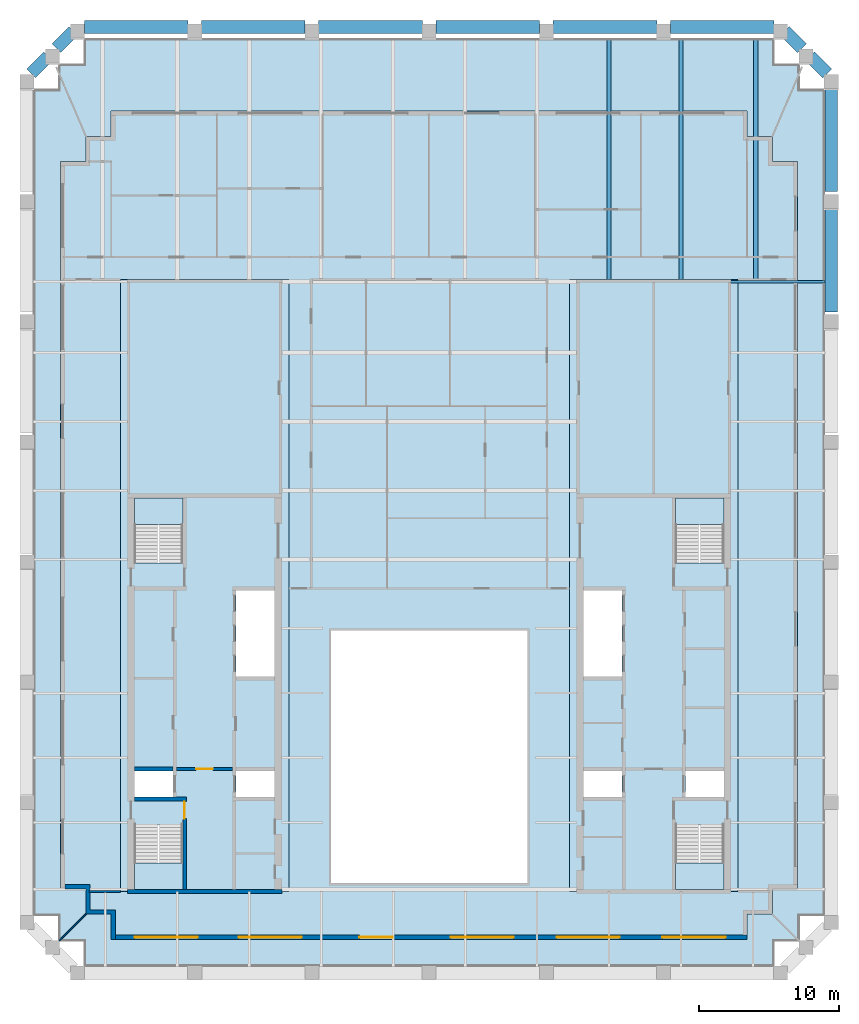
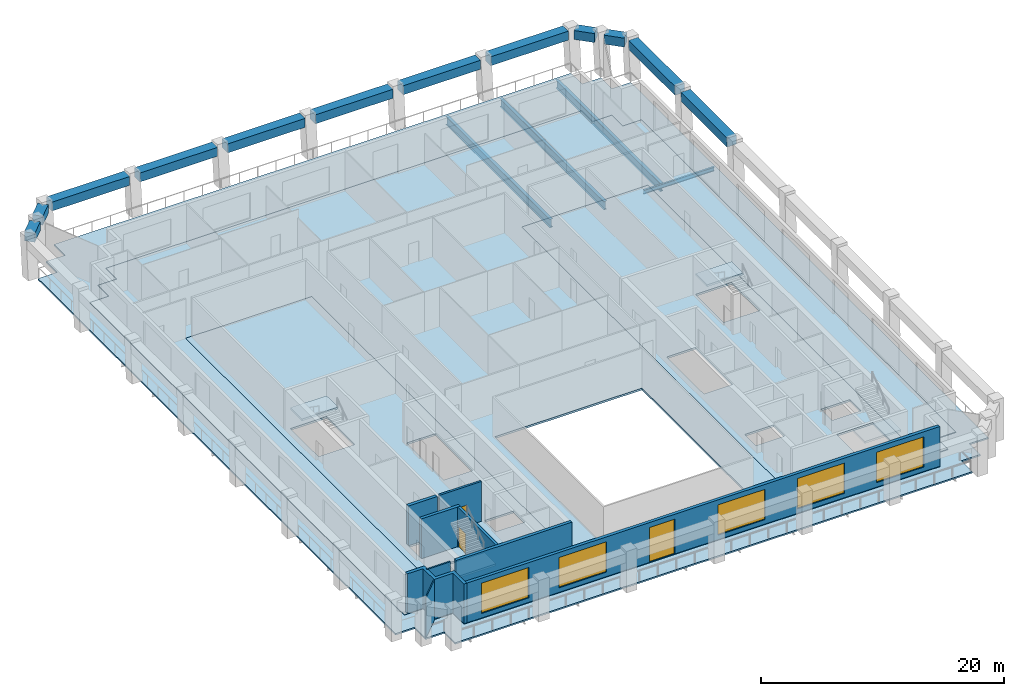
# One storey, part 2 of 8: 16 beams, 9 walls, 8 slabs, 5 windows, 3 doors, 8 openings, 4 elements without a shape of their own.
"""IFC4 building model written with IfcOpenShell, lengths in metres."""

from ifc_helpers import new_model, si_unit, direction, frame, frame_2d, origin, origin_2d, place, context, subcontext, project, spatial, polyline, rectangle, i_section, outline, extrude, material, layer, layer_set, material_profile, profile_set, type_object, element, fill, aggregate, save


model = new_model("IFC4")

# Units and contexts
model_context = context("Model", 3, precision=1e-05, world=origin(), true_north=direction((0.0, 1.0)))
body_context = subcontext(model_context, "Body", "Model", "MODEL_VIEW")
ifc_project = project(units=[si_unit("LENGTHUNIT", "METRE"), si_unit("AREAUNIT", "SQUARE_METRE"), si_unit("VOLUMEUNIT", "CUBIC_METRE"), si_unit("PLANEANGLEUNIT", "RADIAN"), si_unit("MASSUNIT", "GRAM", prefix="KILO")], contexts=[model_context])

# Site, building, storey
site_placement = place(None, origin())
site = spatial("IfcSite", under=ifc_project, at=site_placement, CompositionType="ELEMENT")
building_placement = place(site_placement, origin())
building = spatial("IfcBuilding", under=site, at=building_placement, Name="Ogive Exchange Tower", CompositionType="ELEMENT")
storey_placement = place(building_placement, frame((0.0, 0.0, 338.39990234375)))
storey = spatial("IfcBuildingStorey", under=building, at=storey_placement, Name="L74", CompositionType="ELEMENT", Elevation=338.39990234375)

# Beams
ifc_material_1 = material(Name="Steel ASTM A992 Gr50", Category="steel")
ifc_material_profile_1 = material_profile(ifc_material_1, i_section(OverallWidth=0.2919921875, OverallDepth=0.8359375, WebThickness=0.013916015625, FlangeThickness=0.018798828125, at=origin_2d()), Name="W840x176")
ifc_profile_set_1 = profile_set([ifc_material_profile_1], Name="Steel ASTM A992 Gr50")
beam_type_1 = type_object("IfcBeamType", Name="Floor beam W840x176", PredefinedType="JOIST", material=ifc_profile_set_1)
for number, where, z_axis, x_axis, name in (
    (1, (12.818115234375, 41.0, -0.617919921875), (0.0, 1.0, 0.0), (-1.0, 0.0, 0.0), "Floor beam"),
    (2, (17.945556640625, 41.0, -0.617919921875), (0.0, 1.0, 0.0), (-1.0, 0.0, 0.0), "Floor beam"),
):
    element("IfcBeam", number, at=place(storey_placement, frame(where, z_axis=z_axis, x_axis=x_axis)), inside=storey, type_object=beam_type_1, Name=name, PredefinedType="JOIST", context=body_context, shape_type="SweptSolid", body=[
        extrude(i_section(OverallWidth=0.2919921875, OverallDepth=0.8359375, WebThickness=0.013916015625, FlangeThickness=0.018798828125, at=origin_2d()), origin(), (0.0, 0.0, 1.0), 17.168212890625),
    ])
beam_1_placement = place(storey_placement, frame((23.272705078125, 40.93408203125, -0.617919921875), z_axis=(0.0, 1.0, 0.0), x_axis=(-1.0, 0.0, 0.0)))
element("IfcBeam", 3, at=beam_1_placement, inside=storey, type_object=beam_type_1, Name="Floor beam", PredefinedType="JOIST", context=body_context, shape_type="SweptSolid", body=[
    extrude(i_section(OverallWidth=0.2919921875, OverallDepth=0.8359375, WebThickness=0.013916015625, FlangeThickness=0.018798828125, at=origin_2d()), origin(), (0.0, 0.0, 1.0), 17.234130859375),
])
ifc_material_profile_2 = material_profile(ifc_material_1, i_section(OverallWidth=0.177978515625, OverallDepth=0.406005859375, WebThickness=0.0078125, FlangeThickness=0.0126953125, at=origin_2d()), Name="W410x60")
ifc_profile_set_2 = profile_set([ifc_material_profile_2], Name="Steel ASTM A992 Gr50")
beam_type_2 = type_object("IfcBeamType", Name="Girder W410x60", PredefinedType="BEAM", material=ifc_profile_set_2)
beam_2_placement = place(storey_placement, frame((21.47998046875, 40.844970703125, -0.40283203125), z_axis=(1.0, 0.0, 0.0), x_axis=(0.0, 1.0, 0.0)))
element("IfcBeam", 4, at=beam_2_placement, inside=storey, type_object=beam_type_2, Name="Header girder", PredefinedType="BEAM", context=body_context, shape_type="SweptSolid", body=[
    extrude(i_section(OverallWidth=0.177978515625, OverallDepth=0.406005859375, WebThickness=0.0078125, FlangeThickness=0.0126953125, at=origin_2d()), origin(), (0.0, 0.0, 1.0), 6.719970703125),
])
ifc_material_2 = material(Name="Precast concrete C70/85 (limestone faced)", Category="masonry")
ifc_material_profile_3 = material_profile(ifc_material_2, rectangle(XDim=0.89990234375, YDim=0.89990234375, at=origin_2d()), Name="900 x 900")
ifc_profile_set_3 = profile_set([ifc_material_profile_3], Name="Precast concrete C70/85 (limestone faced)")
beam_type_3 = type_object("IfcBeamType", Name="Precast spandrel 900 x 900 C70/85", PredefinedType="SPANDREL", material=ifc_profile_set_3)
beam_3_placement = place(storey_placement, frame((28.64990234375, 38.679931640625, 3.5), z_axis=(0.0, 1.0, 0.0), x_axis=(-1.0, 0.0, 0.0)))
element("IfcBeam", 5, at=beam_3_placement, inside=storey, type_object=beam_type_3, Name="Spandrel 14", PredefinedType="SPANDREL", context=body_context, shape_type="SweptSolid", body=[
    extrude(rectangle(XDim=0.89990234375, YDim=0.89990234375, at=origin_2d()), origin(), (0.0, 0.0, 1.0), 7.64013671875),
])
beam_4_placement = place(storey_placement, frame((28.64990234375, 47.280029296875, 3.5), z_axis=(0.0, 1.0, 0.0), x_axis=(-1.0, 0.0, 0.0)))
element("IfcBeam", 6, at=beam_4_placement, inside=storey, type_object=beam_type_3, Name="Spandrel 15", PredefinedType="SPANDREL", context=body_context, shape_type="SweptSolid", body=[
    extrude(rectangle(XDim=0.89990234375, YDim=0.89990234375, at=origin_2d()), origin(), (0.0, 0.0, 1.0), 7.639892578125),
])
beam_5_placement = place(storey_placement, frame((28.362060546875, 55.68798828125, 3.5), z_axis=(-0.707106781187, 0.707106781187, 0.0), x_axis=(-0.707106781187, -0.707106781187, 0.0)))
element("IfcBeam", 7, at=beam_5_placement, inside=storey, type_object=beam_type_3, Name="Spandrel 16", PredefinedType="SPANDREL", context=body_context, shape_type="SweptSolid", body=[
    extrude(rectangle(XDim=0.89990234375, YDim=0.89990234375, at=origin_2d()), origin(), (0.0, 0.0, 1.0), 1.731201171875),
])
beam_6_placement = place(storey_placement, frame((26.56201171875, 57.48779296875, 3.5), z_axis=(-0.707036271462, 0.707177283881, 0.0), x_axis=(-0.707177283881, -0.707036271462, 0.0)))
element("IfcBeam", 8, at=beam_6_placement, inside=storey, type_object=beam_type_3, Name="Spandrel 17", PredefinedType="SPANDREL", context=body_context, shape_type="SweptSolid", body=[
    extrude(rectangle(XDim=0.89990234375, YDim=0.89990234375, at=origin_2d()), origin(), (0.0, 0.0, 1.0), 1.7314453125),
])
beam_7_placement = place(storey_placement, frame((24.570068359375, 59.0, 3.5), z_axis=(-1.0, 0.0, 0.0), x_axis=(0.0, -1.0, 0.0)))
element("IfcBeam", 9, at=beam_7_placement, inside=storey, type_object=beam_type_3, Name="Spandrel 18", PredefinedType="SPANDREL", context=body_context, shape_type="SweptSolid", body=[
    extrude(rectangle(XDim=0.89990234375, YDim=0.89990234375, at=origin_2d()), origin(), (0.0, 0.0, 1.0), 7.39013671875),
])
beam_8_placement = place(storey_placement, frame((16.219970703125, 59.0, 3.5), z_axis=(-1.0, 0.0, 0.0), x_axis=(0.0, -1.0, 0.0)))
element("IfcBeam", 10, at=beam_8_placement, inside=storey, type_object=beam_type_3, Name="Spandrel 19", PredefinedType="SPANDREL", context=body_context, shape_type="SweptSolid", body=[
    extrude(rectangle(XDim=0.89990234375, YDim=0.89990234375, at=origin_2d()), origin(), (0.0, 0.0, 1.0), 7.389892578125),
])
for number, where, z_axis, x_axis, name in (
    (11, (7.8701171875, 59.0, 3.5), (-1.0, 0.0, 0.0), (0.0, -1.0, 0.0), "Spandrel 20"),
    (12, (-0.47998046875, 59.0, 3.5), (-1.0, 0.0, 0.0), (0.0, -1.0, 0.0), "Spandrel 21"),
):
    element("IfcBeam", number, at=place(storey_placement, frame(where, z_axis=z_axis, x_axis=x_axis)), inside=storey, type_object=beam_type_3, Name=name, PredefinedType="SPANDREL", context=body_context, shape_type="SweptSolid", body=[
        extrude(rectangle(XDim=0.89990234375, YDim=0.89990234375, at=origin_2d()), origin(), (0.0, 0.0, 1.0), 7.39013671875),
    ])
beam_9_placement = place(storey_placement, frame((-8.830078125, 59.0, 3.5), z_axis=(-1.0, 0.0, 0.0), x_axis=(0.0, -1.0, 0.0)))
element("IfcBeam", 13, at=beam_9_placement, inside=storey, type_object=beam_type_3, Name="Spandrel 22", PredefinedType="SPANDREL", context=body_context, shape_type="SweptSolid", body=[
    extrude(rectangle(XDim=0.89990234375, YDim=0.89990234375, at=origin_2d()), origin(), (0.0, 0.0, 1.0), 7.389892578125),
])
beam_10_placement = place(storey_placement, frame((-17.179931640625, 59.0, 3.5), z_axis=(-1.0, 0.0, 0.0), x_axis=(0.0, -1.0, 0.0)))
element("IfcBeam", 14, at=beam_10_placement, inside=storey, type_object=beam_type_3, Name="Spandrel 23", PredefinedType="SPANDREL", context=body_context, shape_type="SweptSolid", body=[
    extrude(rectangle(XDim=0.89990234375, YDim=0.89990234375, at=origin_2d()), origin(), (0.0, 0.0, 1.0), 7.39013671875),
])
beam_11_placement = place(storey_placement, frame((-25.337890625, 58.712158203125, 3.5), z_axis=(-0.707036271462, -0.707177283881, 0.0), x_axis=(0.707177283881, -0.707036271462, 0.0)))
element("IfcBeam", 15, at=beam_11_placement, inside=storey, type_object=beam_type_3, Name="Spandrel 24", PredefinedType="SPANDREL", context=body_context, shape_type="SweptSolid", body=[
    extrude(rectangle(XDim=0.89990234375, YDim=0.89990234375, at=origin_2d()), origin(), (0.0, 0.0, 1.0), 1.7314453125),
])
beam_12_placement = place(storey_placement, frame((-27.137939453125, 56.912109375, 3.5), z_axis=(-0.707106781187, -0.707106781187, 0.0), x_axis=(0.707106781187, -0.707106781187, 0.0)))
element("IfcBeam", 16, at=beam_12_placement, inside=storey, type_object=beam_type_3, Name="Spandrel 25", PredefinedType="SPANDREL", context=body_context, shape_type="SweptSolid", body=[
    extrude(rectangle(XDim=0.89990234375, YDim=0.89990234375, at=origin_2d()), origin(), (0.0, 0.0, 1.0), 1.731201171875),
])

# Slabs
ifc_material_3 = material(Name="Concrete C50/60", Category="concrete")
ifc_layer_1 = layer(ifc_material_3, 0.199951171875)
ifc_layer_set_1 = layer_set([ifc_layer_1], Name="Composite floor slab 200")
slab_type_1 = type_object("IfcSlabType", Name="Composite floor slab 200", PredefinedType="FLOOR", material=ifc_layer_set_1)
slab_1_placement = place(storey_placement, frame((0.0, 0.0, -0.199951171875)))
element("IfcSlab", 17, at=slab_1_placement, inside=storey, type_object=slab_type_1, Name="Composite floor slab", PredefinedType="FLOOR", context=body_context, shape_type="SweptSolid", body=[
    extrude(outline(polyline([(-22.64990234375, -4.199951171875), (-24.449951171875, -4.199951171875), (-24.449951171875, -2.39990234375), (-26.25, -2.39990234375), (-26.25, 49.39990234375), (-24.449951171875, 49.39990234375), (-24.449951171875, 51.199951171875), (-22.64990234375, 51.199951171875), (-22.64990234375, 53.0), (22.64990234375, 53.0), (22.64990234375, 51.199951171875), (24.449951171875, 51.199951171875), (24.449951171875, 49.39990234375), (26.25, 49.39990234375), (26.25, -2.39990234375), (24.449951171875, -2.39990234375), (24.449951171875, -4.199951171875), (22.64990234375, -4.199951171875), (22.64990234375, -6.0), (-22.64990234375, -6.0), (-22.64990234375, -4.199951171875)]), holes=[polyline([(7.0, -2.0), (7.0, 16.0), (-7.0, 16.0), (-7.0, -2.0), (7.0, -2.0)]), polyline([(-22.0, -2.60009765625), (-10.0, -2.60009765625), (-10.0, 41.0), (-22.0, 41.0), (-22.0, -2.60009765625)]), polyline([(10.0, -2.60009765625), (22.0, -2.60009765625), (22.0, 41.0), (10.0, 41.0), (10.0, -2.60009765625)])]), origin(), (0.0, 0.0, 1.0), 0.199951171875),
])
ifc_material_4 = material(Name="Concrete C70/85", Category="concrete")
ifc_layer_2 = layer(ifc_material_4, 0.199951171875)
ifc_layer_set_2 = layer_set([ifc_layer_2], Name="Core floor slab 200")
slab_type_2 = type_object("IfcSlabType", Name="Core floor slab 200", PredefinedType="FLOOR", material=ifc_layer_set_2)
slab_2_placement = place(storey_placement, frame((0.0, 0.0, -0.199951171875)))
element("IfcSlab", 18, at=slab_2_placement, inside=storey, type_object=slab_type_2, Name="Core floor slab", PredefinedType="FLOOR", context=body_context, shape_type="SweptSolid", body=[
    extrude(outline(polyline([(-22.0, -2.60009765625), (-22.0, 41.0), (-10.0, 41.0), (-10.0, -2.60009765625), (-22.0, -2.60009765625)]), holes=[polyline([(-17.550048828125, 2.196044921875), (-21.0, 2.196044921875), (-21.0, -2.449951171875), (-17.550048828125, -2.449951171875), (-17.550048828125, 2.196044921875)]), polyline([(-21.0, 5.992919921875), (-21.0, 4.14990234375), (-18.25, 4.14990234375), (-18.25, 5.992919921875), (-21.0, 5.992919921875)]), polyline([(-13.75, 5.992919921875), (-13.75, 4.14990234375), (-11.0, 4.14990234375), (-11.0, 5.992919921875), (-13.75, 5.992919921875)]), polyline([(-11.0, 18.85009765625), (-13.75, 18.85009765625), (-13.75, 12.721435546875), (-11.0, 12.721435546875), (-11.0, 18.85009765625)]), polyline([(-21.0, 25.449951171875), (-21.0, 20.803955078125), (-17.550048828125, 20.803955078125), (-17.550048828125, 25.449951171875), (-21.0, 25.449951171875)])]), origin(), (0.0, 0.0, 1.0), 0.199951171875),
])
slab_3_placement = place(storey_placement, frame((0.0, 0.0, -0.199951171875)))
element("IfcSlab", 19, at=slab_3_placement, inside=storey, type_object=slab_type_2, Name="Core floor slab", PredefinedType="FLOOR", context=body_context, shape_type="SweptSolid", body=[
    extrude(outline(polyline([(10.0, -2.60009765625), (10.0, 41.0), (22.0, 41.0), (22.0, -2.60009765625), (10.0, -2.60009765625)]), holes=[polyline([(21.0, 2.196044921875), (17.550048828125, 2.196044921875), (17.550048828125, -2.449951171875), (21.0, -2.449951171875), (21.0, 2.196044921875)]), polyline([(11.0, 5.992919921875), (11.0, 4.14990234375), (13.75, 4.14990234375), (13.75, 5.992919921875), (11.0, 5.992919921875)]), polyline([(18.25, 5.992919921875), (18.25, 4.14990234375), (21.0, 4.14990234375), (21.0, 5.992919921875), (18.25, 5.992919921875)]), polyline([(13.75, 18.85009765625), (11.0, 18.85009765625), (11.0, 12.721435546875), (13.75, 12.721435546875), (13.75, 18.85009765625)]), polyline([(17.550048828125, 25.449951171875), (17.550048828125, 20.803955078125), (21.0, 20.803955078125), (21.0, 25.449951171875), (17.550048828125, 25.449951171875)])]), origin(), (0.0, 0.0, 1.0), 0.199951171875),
])
ifc_layer_3 = layer(ifc_material_3, 0.14990234375)
ifc_layer_set_3 = layer_set([ifc_layer_3], Name="Loggia deck 150")
slab_type_3 = type_object("IfcSlabType", Name="Loggia deck 150", PredefinedType="FLOOR", material=ifc_layer_set_3)
slab_4_placement = place(storey_placement, frame((0.0, 0.0, -0.199951171875)))
element("IfcSlab", 20, at=slab_4_placement, inside=storey, type_object=slab_type_3, Name="Loggia deck", PredefinedType="FLOOR", context=body_context, shape_type="SweptSolid", body=[
    extrude(outline(polyline([(-24.60009765625, -6.14990234375), (-26.39990234375, -6.14990234375), (-26.39990234375, -4.35009765625), (-28.199951171875, -4.35009765625), (-28.199951171875, 54.568115234375), (-26.39990234375, 54.568115234375), (-26.39990234375, 56.3681640625), (-24.60009765625, 56.3681640625), (-24.60009765625, 58.168212890625), (24.60009765625, 58.168212890625), (24.60009765625, 56.3681640625), (26.39990234375, 56.3681640625), (26.39990234375, 54.568115234375), (28.199951171875, 54.568115234375), (28.199951171875, -4.35009765625), (26.39990234375, -4.35009765625), (26.39990234375, -6.14990234375), (24.60009765625, -6.14990234375), (24.60009765625, -7.949951171875), (-24.60009765625, -7.949951171875), (-24.60009765625, -6.14990234375)]), holes=[polyline([(22.64990234375, -4.199951171875), (24.449951171875, -4.199951171875), (24.449951171875, -2.39990234375), (26.25, -2.39990234375), (26.25, 49.39990234375), (24.449951171875, 49.39990234375), (24.449951171875, 51.199951171875), (22.64990234375, 51.199951171875), (22.64990234375, 53.0), (-22.64990234375, 53.0), (-22.64990234375, 51.199951171875), (-24.449951171875, 51.199951171875), (-24.449951171875, 49.39990234375), (-26.25, 49.39990234375), (-26.25, -2.39990234375), (-24.449951171875, -2.39990234375), (-24.449951171875, -4.199951171875), (-22.64990234375, -4.199951171875), (-22.64990234375, -6.0), (22.64990234375, -6.0), (22.64990234375, -4.199951171875)])]), origin(), (0.0, 0.0, 1.0), 0.150146484375),
])

# Stair, slab
ifc_material_5 = material(Name="Concrete C40/50", Category="concrete")
stair_type = type_object("IfcStairType", Name="Exit stair 1650 wide", PredefinedType="HALF_TURN_STAIR", material=ifc_material_5)
stair_1_placement = place(storey_placement, origin())
stair_1 = element("IfcStair", 21, at=stair_1_placement, inside=storey, type_object=stair_type, Name="L74 exit stair ST1", PredefinedType="HALF_TURN_STAIR")
ifc_layer_4 = layer(ifc_material_5, 0.199951171875)
ifc_layer_set_4 = layer_set([ifc_layer_4], Name="Stair landing 200 slab")
slab_type_4 = type_object("IfcSlabType", Name="Stair landing 200 slab", PredefinedType="LANDING", material=ifc_layer_set_4)
slab_5_placement = place(storey_placement, frame((0.0, 0.0, 1.900146484375)))
slab_5 = element("IfcSlab", 22, at=slab_5_placement, type_object=slab_type_4, Name="ST1 landing 1", PredefinedType="LANDING", context=body_context, shape_type="SweptSolid", body=[
    extrude(outline(polyline([(-21.0, -0.550048828125), (-21.0, -2.449951171875), (-17.550048828125, -2.449951171875), (-17.550048828125, -0.550048828125), (-21.0, -0.550048828125)])), origin(), (0.0, 0.0, 1.0), 0.199951171875),
])
aggregate(stair_1, [slab_5])

stair_2_placement = place(storey_placement, origin())
stair_2 = element("IfcStair", 23, at=stair_2_placement, inside=storey, type_object=stair_type, Name="L74 exit stair ST2", PredefinedType="HALF_TURN_STAIR")
slab_6_placement = place(storey_placement, frame((0.0, 0.0, 1.900146484375)))
slab_6 = element("IfcSlab", 24, at=slab_6_placement, type_object=slab_type_4, Name="ST2 landing 1", PredefinedType="LANDING", context=body_context, shape_type="SweptSolid", body=[
    extrude(outline(polyline([(-17.550048828125, 23.550048828125), (-17.550048828125, 25.449951171875), (-21.0, 25.449951171875), (-21.0, 23.550048828125), (-17.550048828125, 23.550048828125)])), origin(), (0.0, 0.0, 1.0), 0.199951171875),
])
aggregate(stair_2, [slab_6])

stair_3_placement = place(storey_placement, origin())
stair_3 = element("IfcStair", 25, at=stair_3_placement, inside=storey, type_object=stair_type, Name="L74 exit stair ST3", PredefinedType="HALF_TURN_STAIR")
slab_7_placement = place(storey_placement, frame((0.0, 0.0, 1.900146484375)))
slab_7 = element("IfcSlab", 26, at=slab_7_placement, type_object=slab_type_4, Name="ST3 landing 1", PredefinedType="LANDING", context=body_context, shape_type="SweptSolid", body=[
    extrude(outline(polyline([(17.550048828125, -0.550048828125), (17.550048828125, -2.449951171875), (21.0, -2.449951171875), (21.0, -0.550048828125), (17.550048828125, -0.550048828125)])), origin(), (0.0, 0.0, 1.0), 0.199951171875),
])
aggregate(stair_3, [slab_7])

stair_4_placement = place(storey_placement, origin())
stair_4 = element("IfcStair", 27, at=stair_4_placement, inside=storey, type_object=stair_type, Name="L74 exit stair ST4", PredefinedType="HALF_TURN_STAIR")
slab_8_placement = place(storey_placement, frame((0.0, 0.0, 1.900146484375)))
slab_8 = element("IfcSlab", 28, at=slab_8_placement, type_object=slab_type_4, Name="ST4 landing 1", PredefinedType="LANDING", context=body_context, shape_type="SweptSolid", body=[
    extrude(outline(polyline([(21.0, 23.550048828125), (21.0, 25.449951171875), (17.550048828125, 25.449951171875), (17.550048828125, 23.550048828125), (21.0, 23.550048828125)])), origin(), (0.0, 0.0, 1.0), 0.199951171875),
])
aggregate(stair_4, [slab_8])

# Wall
ifc_material_6 = material(Name="Fire partition EI 60 150")
ifc_layer_5 = layer(ifc_material_6, 0.14990234375)
ifc_layer_set_5 = layer_set([ifc_layer_5], Name="Fire partition EI 60 150")
wall_type_1 = type_object("IfcWallType", Name="Fire partition EI 60 150", PredefinedType="PARTITIONING", material=ifc_layer_set_5)
wall_1_placement = place(storey_placement, frame((-24.25, -2.60009765625, 0.0), z_axis=(0.0, 0.0, 1.0), x_axis=(1.0, 0.0, 0.0)))
element("IfcWall", 29, at=wall_1_placement, inside=storey, type_object=wall_type_1, Name="L74-PWL-002", PredefinedType="PARTITIONING", context=body_context, shape_type="SweptSolid", body=[
    extrude(rectangle(XDim=2.25, YDim=0.14990234375, at=frame_2d((1.125, 0.0))), origin(), (0.0, 0.0, 1.0), 4.0),
])

# Wall, openings, door, windows
ifc_material_7 = material(Name="Precast concrete C40/50", Category="concrete")
ifc_layer_6 = layer(ifc_material_7, 0.300048828125)
ifc_layer_set_6 = layer_set([ifc_layer_6], Name="Limestone-faced wall 300")
wall_type_2 = type_object("IfcWallType", Name="Limestone-faced wall 300", PredefinedType="STANDARD", material=ifc_layer_set_6)
wall_2_placement = place(storey_placement, frame((-22.35009765625, -5.85009765625, 0.0), z_axis=(0.0, 0.0, 1.0), x_axis=(1.0, 0.0, 0.0)))
wall_2 = element("IfcWall", 30, at=wall_2_placement, inside=storey, type_object=wall_type_2, Name="External wall S1", PredefinedType="STANDARD", context=body_context, shape_type="SweptSolid", body=[
    extrude(rectangle(XDim=45.0, YDim=0.300048828125, at=frame_2d((22.5, 0.0))), origin(), (0.0, 0.0, 1.0), 4.0),
])
opening_1_placement = place(wall_2_placement, frame((1.375, 0.0, 0.449951171875)))
opening_1 = element("IfcOpeningElement", 31, at=opening_1_placement, cuts=wall_2, Name="Opening W1", PredefinedType="OPENING", context=body_context, shape_type="SweptSolid", body=[
    extrude(rectangle(XDim=4.5, YDim=3.050048828125, at=frame_2d((2.25, 1.52490234375))), frame((0.0, 0.159912109375, 0.0), z_axis=(0.0, -1.0, 0.0), x_axis=(1.0, 0.0, 0.0)), (0.0, 0.0, 1.0), 0.320068359375),
])
opening_2_placement = place(wall_2_placement, frame((8.77490234375, 0.0, 0.449951171875)))
opening_2 = element("IfcOpeningElement", 32, at=opening_2_placement, cuts=wall_2, Name="Opening W1", PredefinedType="OPENING", context=body_context, shape_type="SweptSolid", body=[
    extrude(rectangle(XDim=4.5, YDim=3.050048828125, at=frame_2d((2.25, 1.52490234375))), frame((0.0, 0.159912109375, 0.0), z_axis=(0.0, -1.0, 0.0), x_axis=(1.0, 0.0, 0.0)), (0.0, 0.0, 1.0), 0.320068359375),
])
opening_3_placement = place(wall_2_placement, frame((17.375, 0.0, 0.0)))
opening_3 = element("IfcOpeningElement", 33, at=opening_3_placement, cuts=wall_2, Name="Opening D1", PredefinedType="OPENING", context=body_context, shape_type="SweptSolid", body=[
    extrude(rectangle(XDim=2.39990234375, YDim=3.5, at=frame_2d((1.199951171875, 1.75))), frame((0.0, 0.159912109375, 0.0), z_axis=(0.0, -1.0, 0.0), x_axis=(1.0, 0.0, 0.0)), (0.0, 0.0, 1.0), 0.320068359375),
])
opening_4_placement = place(wall_2_placement, frame((23.875, 0.0, 0.449951171875)))
opening_4 = element("IfcOpeningElement", 34, at=opening_4_placement, cuts=wall_2, Name="Opening W1", PredefinedType="OPENING", context=body_context, shape_type="SweptSolid", body=[
    extrude(rectangle(XDim=4.5, YDim=3.050048828125, at=frame_2d((2.25, 1.52490234375))), frame((0.0, 0.159912109375, 0.0), z_axis=(0.0, -1.0, 0.0), x_axis=(1.0, 0.0, 0.0)), (0.0, 0.0, 1.0), 0.320068359375),
])
opening_5_placement = place(wall_2_placement, frame((31.425048828125, 0.0, 0.449951171875)))
opening_5 = element("IfcOpeningElement", 35, at=opening_5_placement, cuts=wall_2, Name="Opening W1", PredefinedType="OPENING", context=body_context, shape_type="SweptSolid", body=[
    extrude(rectangle(XDim=4.5, YDim=3.050048828125, at=frame_2d((2.25, 1.52490234375))), frame((0.0, 0.159912109375, 0.0), z_axis=(0.0, -1.0, 0.0), x_axis=(1.0, 0.0, 0.0)), (0.0, 0.0, 1.0), 0.320068359375),
])
opening_6_placement = place(wall_2_placement, frame((38.97509765625, 0.0, 0.449951171875)))
opening_6 = element("IfcOpeningElement", 36, at=opening_6_placement, cuts=wall_2, Name="Opening W1", PredefinedType="OPENING", context=body_context, shape_type="SweptSolid", body=[
    extrude(rectangle(XDim=4.5, YDim=3.050048828125, at=frame_2d((2.25, 1.52490234375))), frame((0.0, 0.159912109375, 0.0), z_axis=(0.0, -1.0, 0.0), x_axis=(1.0, 0.0, 0.0)), (0.0, 0.0, 1.0), 0.320068359375),
])
ifc_material_8 = material(Name="Clear glass in bronze frame", Category="glass")
door_type_1 = type_object("IfcDoorType", Name="Sliding loggia door 2400 x 3500", OperationType="DOUBLE_DOOR_SLIDING", PredefinedType="DOOR", material=ifc_material_8)
door_1_placement = place(opening_3_placement, origin())
door_1 = element("IfcDoor", 37, at=door_1_placement, inside=storey, type_object=door_type_1, Name="Loggia door S02", OperationType="DOUBLE_DOOR_SLIDING", OverallHeight=3.5, OverallWidth=2.39990234375, PredefinedType="DOOR", context=body_context, shape_type="SweptSolid", body=[
    extrude(rectangle(XDim=2.39990234375, YDim=3.5, at=frame_2d((1.199951171875, 1.75))), frame((0.0, 0.02490234375, 0.0), z_axis=(0.0, -1.0, 0.0), x_axis=(1.0, 0.0, 0.0)), (0.0, 0.0, 1.0), 0.050048828125),
])
fill(opening_3, door_1)
window_type = type_object("IfcWindowType", Name="Twin lancet window 4500 x 3050", PartitioningType="DOUBLE_PANEL_VERTICAL", PredefinedType="WINDOW", material=ifc_material_8)
window_1_placement = place(opening_1_placement, origin())
window_1 = element("IfcWindow", 38, at=window_1_placement, inside=storey, type_object=window_type, Name="Window S00", OverallHeight=3.050048828125, OverallWidth=4.5, PartitioningType="DOUBLE_PANEL_VERTICAL", PredefinedType="WINDOW", context=body_context, shape_type="SweptSolid", body=[
    extrude(rectangle(XDim=4.5, YDim=3.050048828125, at=frame_2d((2.25, 1.52490234375))), frame((0.0, 0.030029296875, 0.0), z_axis=(0.0, -1.0, 0.0), x_axis=(1.0, 0.0, 0.0)), (0.0, 0.0, 1.0), 0.06005859375),
])
fill(opening_1, window_1)
window_2_placement = place(opening_2_placement, origin())
window_2 = element("IfcWindow", 39, at=window_2_placement, inside=storey, type_object=window_type, Name="Window S01", OverallHeight=3.050048828125, OverallWidth=4.5, PartitioningType="DOUBLE_PANEL_VERTICAL", PredefinedType="WINDOW", context=body_context, shape_type="SweptSolid", body=[
    extrude(rectangle(XDim=4.5, YDim=3.050048828125, at=frame_2d((2.25, 1.52490234375))), frame((0.0, 0.030029296875, 0.0), z_axis=(0.0, -1.0, 0.0), x_axis=(1.0, 0.0, 0.0)), (0.0, 0.0, 1.0), 0.06005859375),
])
fill(opening_2, window_2)
window_3_placement = place(opening_4_placement, origin())
window_3 = element("IfcWindow", 40, at=window_3_placement, inside=storey, type_object=window_type, Name="Window S03", OverallHeight=3.050048828125, OverallWidth=4.5, PartitioningType="DOUBLE_PANEL_VERTICAL", PredefinedType="WINDOW", context=body_context, shape_type="SweptSolid", body=[
    extrude(rectangle(XDim=4.5, YDim=3.050048828125, at=frame_2d((2.25, 1.52490234375))), frame((0.0, 0.030029296875, 0.0), z_axis=(0.0, -1.0, 0.0), x_axis=(1.0, 0.0, 0.0)), (0.0, 0.0, 1.0), 0.06005859375),
])
fill(opening_4, window_3)
window_4_placement = place(opening_5_placement, origin())
window_4 = element("IfcWindow", 41, at=window_4_placement, inside=storey, type_object=window_type, Name="Window S04", OverallHeight=3.050048828125, OverallWidth=4.5, PartitioningType="DOUBLE_PANEL_VERTICAL", PredefinedType="WINDOW", context=body_context, shape_type="SweptSolid", body=[
    extrude(rectangle(XDim=4.5, YDim=3.050048828125, at=frame_2d((2.25, 1.52490234375))), frame((0.0, 0.030029296875, 0.0), z_axis=(0.0, -1.0, 0.0), x_axis=(1.0, 0.0, 0.0)), (0.0, 0.0, 1.0), 0.06005859375),
])
fill(opening_5, window_4)
window_5_placement = place(opening_6_placement, origin())
window_5 = element("IfcWindow", 42, at=window_5_placement, inside=storey, type_object=window_type, Name="Window S05", OverallHeight=3.050048828125, OverallWidth=4.5, PartitioningType="DOUBLE_PANEL_VERTICAL", PredefinedType="WINDOW", context=body_context, shape_type="SweptSolid", body=[
    extrude(rectangle(XDim=4.5, YDim=3.050048828125, at=frame_2d((2.25, 1.52490234375))), frame((0.0, 0.030029296875, 0.0), z_axis=(0.0, -1.0, 0.0), x_axis=(1.0, 0.0, 0.0)), (0.0, 0.0, 1.0), 0.06005859375),
])
fill(opening_6, window_5)

# Walls
wall_3_placement = place(storey_placement, origin())
element("IfcWall", 43, at=wall_3_placement, inside=storey, type_object=wall_type_2, Name="External corner wall C4", PredefinedType="STANDARD", context=body_context, shape_type="SweptSolid", body=[
    extrude(outline(polyline([(-22.64990234375, -4.199951171875), (-24.449951171875, -4.199951171875), (-24.449951171875, -2.39990234375), (-25.949951171875, -2.39990234375), (-25.949951171875, -2.10009765625), (-24.14990234375, -2.10009765625), (-24.14990234375, -3.89990234375), (-22.35009765625, -3.89990234375), (-22.35009765625, -6.0), (-22.64990234375, -6.0), (-22.64990234375, -4.199951171875)])), origin(), (0.0, 0.0, 1.0), 4.0),
])
ifc_material_9 = material(Name="Laminated safety glass in steel frame", Category="steel")
ifc_layer_7 = layer(ifc_material_9, 0.10009765625)
ifc_layer_set_7 = layer_set([ifc_layer_7], Name="Loggia end screen 100")
wall_type_3 = type_object("IfcWallType", Name="Loggia end screen 100", PredefinedType="STANDARD", material=ifc_layer_set_7)
wall_4_placement = place(storey_placement, frame((-24.449951171875, -4.199951171875, -0.0498046875), z_axis=(0.0, 0.0, 1.0), x_axis=(-0.707106781187, -0.707106781187, 0.0)))
element("IfcWall", 44, at=wall_4_placement, inside=storey, type_object=wall_type_3, Name="Loggia end screen C4", PredefinedType="STANDARD", context=body_context, shape_type="SweptSolid", body=[
    extrude(rectangle(XDim=2.667236328125, YDim=0.10009765625, at=frame_2d((1.33349609375, 0.0))), origin(), (0.0, 0.0, 1.0), 4.0498046875),
])

# Wall, opening, door
ifc_layer_8 = layer(ifc_material_4, 0.199951171875)
ifc_layer_set_8 = layer_set([ifc_layer_8], Name="RC core wall 200 C70/85")
wall_type_4 = type_object("IfcWallType", Name="RC core wall 200 C70/85", PredefinedType="SHEAR", material=ifc_layer_set_8)
wall_5_placement = place(storey_placement, frame((-18.0, 6.142822265625, 0.0), z_axis=(0.0, 0.0, 1.0), x_axis=(1.0, 0.0, 0.0)))
wall_5 = element("IfcWall", 45, at=wall_5_placement, inside=storey, type_object=wall_type_4, Name="W firefighting lobby wall", PredefinedType="SHEAR", context=body_context, shape_type="SweptSolid", body=[
    extrude(rectangle(XDim=4.0, YDim=0.199951171875, at=frame_2d((2.0, 0.0))), origin(), (0.0, 0.0, 1.0), 4.0),
])
opening_7_placement = place(wall_5_placement, frame((1.39990234375, 0.0, 0.0)))
opening_7 = element("IfcOpeningElement", 46, at=opening_7_placement, cuts=wall_5, Name="Opening L74-C09", PredefinedType="OPENING", context=body_context, shape_type="SweptSolid", body=[
    extrude(rectangle(XDim=1.199951171875, YDim=2.10009765625, at=frame_2d((0.60009765625, 1.050048828125))), frame((0.0, 0.10986328125, 0.0), z_axis=(0.0, -1.0, 0.0), x_axis=(1.0, 0.0, 0.0)), (0.0, 0.0, 1.0), 0.219970703125),
])
ifc_material_10 = material(Name="Steel fire door", Category="steel")
door_type_2 = type_object("IfcDoorType", Name="Firefighting lobby door FD60 1200 x 2100", OperationType="NOTDEFINED", PredefinedType="DOOR", material=ifc_material_10)
door_2_placement = place(opening_7_placement, frame((1.199951171875, 0.0, 0.0), z_axis=(0.0, 0.0, 1.0), x_axis=(-1.0, 0.0, 0.0)))
door_2 = element("IfcDoor", 47, at=door_2_placement, inside=storey, type_object=door_type_2, Name="Firefighting lobby door", ObjectType="CD3", OperationType="SINGLE_SWING_RIGHT", OverallHeight=2.10009765625, OverallWidth=1.199951171875, PredefinedType="DOOR", context=body_context, shape_type="SweptSolid", body=[
    extrude(rectangle(XDim=1.199951171875, YDim=2.10009765625, at=frame_2d((0.60009765625, 1.050048828125))), frame((0.0, 0.02490234375, 0.0), z_axis=(0.0, -1.0, 0.0), x_axis=(1.0, 0.0, 0.0)), (0.0, 0.0, 1.0), 0.050048828125),
])
fill(opening_7, door_2)

ifc_layer_9 = layer(ifc_material_4, 0.25)
ifc_layer_set_9 = layer_set([ifc_layer_9], Name="RC core wall 250 C70/85")
wall_type_5 = type_object("IfcWallType", Name="RC core wall 250 C70/85", PredefinedType="SHEAR", material=ifc_layer_set_9)
wall_6_placement = place(storey_placement, frame((-17.425048828125, -2.449951171875, 0.0), z_axis=(0.0, 0.0, 1.0), x_axis=(0.0, 1.0, 0.0)))
wall_6 = element("IfcWall", 48, at=wall_6_placement, inside=storey, type_object=wall_type_5, Name="W stair S front wall", PredefinedType="SHEAR", context=body_context, shape_type="SweptSolid", body=[
    extrude(rectangle(XDim=6.300048828125, YDim=0.25, at=frame_2d((3.14990234375, 0.0))), origin(), (0.0, 0.0, 1.0), 4.0),
])
opening_8_placement = place(wall_6_placement, frame((5.050048828125, 0.0, 0.0)))
opening_8 = element("IfcOpeningElement", 49, at=opening_8_placement, cuts=wall_6, Name="Opening L74-C11", PredefinedType="OPENING", context=body_context, shape_type="SweptSolid", body=[
    extrude(rectangle(XDim=1.199951171875, YDim=2.10009765625, at=frame_2d((0.60009765625, 1.050048828125))), frame((0.0, 0.135009765625, 0.0), z_axis=(0.0, -1.0, 0.0), x_axis=(1.0, 0.0, 0.0)), (0.0, 0.0, 1.0), 0.27001953125),
])
door_type_3 = type_object("IfcDoorType", Name="Stair door FD90 1200 x 2100", OperationType="NOTDEFINED", PredefinedType="DOOR", material=ifc_material_10)
door_3_placement = place(opening_8_placement, origin())
door_3 = element("IfcDoor", 50, at=door_3_placement, inside=storey, type_object=door_type_3, Name="Stair door", ObjectType="CD5", OperationType="SINGLE_SWING_LEFT", OverallHeight=2.10009765625, OverallWidth=1.199951171875, PredefinedType="DOOR", context=body_context, shape_type="SweptSolid", body=[
    extrude(rectangle(XDim=1.199951171875, YDim=2.10009765625, at=frame_2d((0.60009765625, 1.050048828125))), frame((0.0, 0.02490234375, 0.0), z_axis=(0.0, -1.0, 0.0), x_axis=(1.0, 0.0, 0.0)), (0.0, 0.0, 1.0), 0.050048828125),
])
fill(opening_8, door_3)

# Walls
ifc_layer_10 = layer(ifc_material_4, 0.300048828125)
ifc_layer_set_10 = layer_set([ifc_layer_10], Name="RC core wall 300 C70/85")
wall_type_6 = type_object("IfcWallType", Name="RC core wall 300 C70/85", PredefinedType="SHEAR", material=ifc_layer_set_10)
wall_7_placement = place(storey_placement, frame((-21.5, -2.60009765625, 0.0), z_axis=(0.0, 0.0, 1.0), x_axis=(1.0, 0.0, 0.0)))
element("IfcWall", 51, at=wall_7_placement, inside=storey, type_object=wall_type_6, Name="W south end wall", PredefinedType="SHEAR", context=body_context, shape_type="SweptSolid", body=[
    extrude(rectangle(XDim=11.0, YDim=0.300048828125, at=frame_2d((5.5, 0.0))), origin(), (0.0, 0.0, 1.0), 4.0),
])
wall_8_placement = place(storey_placement, frame((-21.0, 4.0, 0.0), z_axis=(0.0, 0.0, 1.0), x_axis=(1.0, 0.0, 0.0)))
element("IfcWall", 52, at=wall_8_placement, inside=storey, type_object=wall_type_6, Name="W stair S north wall", PredefinedType="SHEAR", context=body_context, shape_type="SweptSolid", body=[
    extrude(rectangle(XDim=3.699951171875, YDim=0.300048828125, at=frame_2d((1.85009765625, 0.0))), origin(), (0.0, 0.0, 1.0), 4.0),
])
wall_9_placement = place(storey_placement, frame((-21.0, 6.142822265625, 0.0), z_axis=(0.0, 0.0, 1.0), x_axis=(1.0, 0.0, 0.0)))
element("IfcWall", 53, at=wall_9_placement, inside=storey, type_object=wall_type_6, Name="W row A divider 1", PredefinedType="SHEAR", context=body_context, shape_type="SweptSolid", body=[
    extrude(rectangle(XDim=2.75, YDim=0.300048828125, at=frame_2d((1.375, 0.0))), origin(), (0.0, 0.0, 1.0), 4.0),
])

save(model, "model.ifc")
